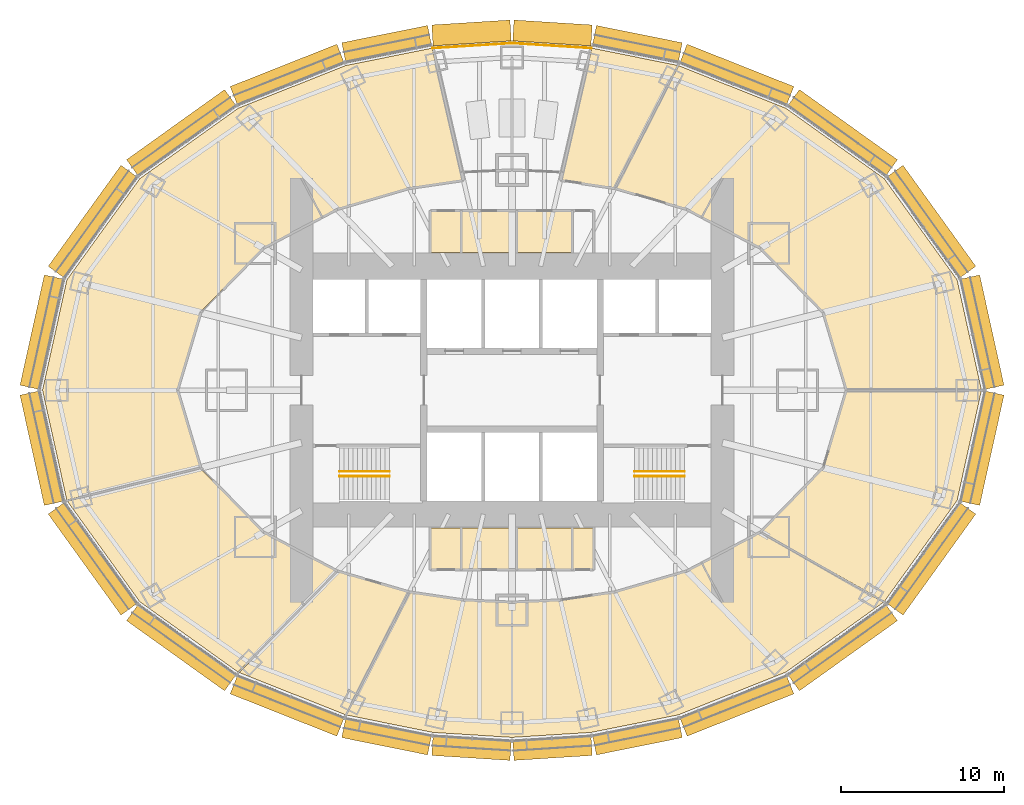
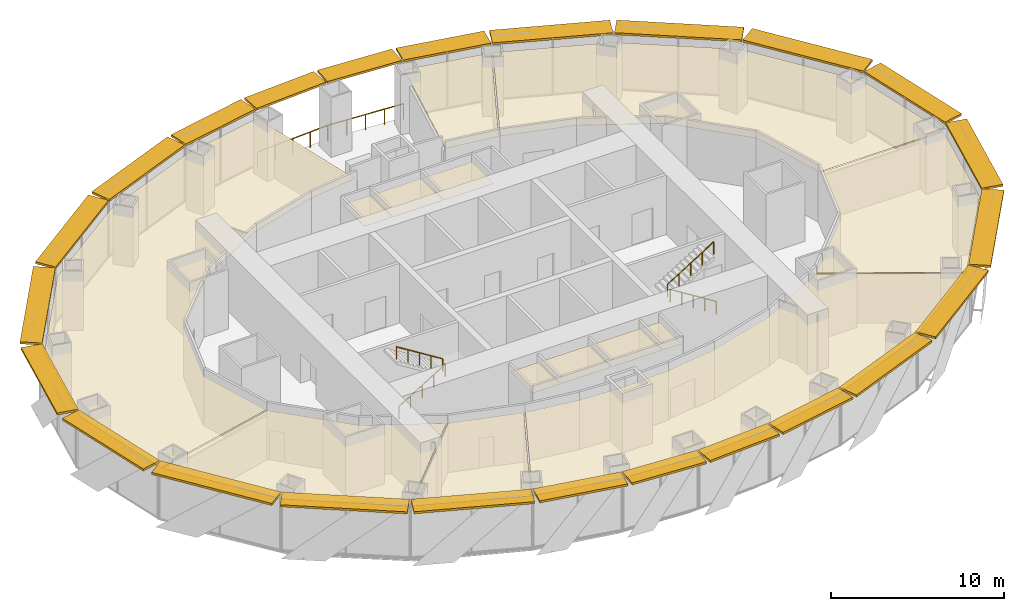
# One storey, part 17 of 17: 24 shading devices, 14 coverings, 6 railings.
"""IFC4 building model written with IfcOpenShell, lengths in metres."""

import ifcopenshell
import ifcopenshell.guid

model = None  # the IFC model being written
_history = None  # IfcOwnerHistory: only IFC2X3 demands one
_inside = {}  # id of a spatial element -> (the spatial element, [elements in it])
_under = {}  # id of a project, library or spatial element -> (it, [spatial elements below it])
_declared = {}  # id of a project -> (the project, [libraries it declares])
_typed = {}  # id of a type object -> (the type object, [elements of that type])
_made_of = {}  # id of a material, layer set ... -> (it, [elements and type objects made of it])


def new_model(schema):
    """Start an empty IFC model of exactly this schema.

    Asked for "IFC4X3", IfcOpenShell would pick the latest addendum, in which some entities
    have other attributes; the version numbers below select the first issue.
    IFC2X3 requires an IfcOwnerHistory on every rooted entity: one is made here for all.
    """
    global model, _history
    if schema == "IFC4X3":
        model = ifcopenshell.file(schema_version=(4, 3, 0, 0))
    else:
        model = ifcopenshell.file(schema=schema)
    _inside.clear()
    _under.clear()
    _declared.clear()
    _typed.clear()
    _made_of.clear()
    _history = None
    if model.schema == "IFC2X3":
        org = make("IfcOrganization", Name="unknown")
        user = make(
            "IfcPersonAndOrganization",
            ThePerson=make("IfcPerson", FamilyName="unknown"),
            TheOrganization=org,
        )
        app = make(
            "IfcApplication",
            ApplicationDeveloper=org,
            Version="unknown",
            ApplicationFullName="unknown",
            ApplicationIdentifier="unknown",
        )
        _history = make(
            "IfcOwnerHistory",
            OwningUser=user,
            OwningApplication=app,
            ChangeAction="ADDED",
            CreationDate=0,
        )
    return model


def make(cls, **values):
    """One entity of the class cls with the attributes given. An attribute that is None is left unset."""
    return model.create_entity(
        cls, **{name: value for name, value in values.items() if value is not None}
    )


def rooted(cls, **values):
    """An entity with a GlobalId (a new one), such as an element, a storey or a relation."""
    return make(cls, GlobalId=ifcopenshell.guid.new(), OwnerHistory=_history, **values)


def si_unit(unit_type, name, prefix=None):
    """IfcSIUnit, for example si_unit("LENGTHUNIT", "METRE", prefix="MILLI")."""
    return make("IfcSIUnit", UnitType=unit_type, Prefix=prefix, Name=name)


def assignment(units):
    """IfcUnitAssignment: the units of a project."""
    return None if units is None else make("IfcUnitAssignment", Units=units)


def point(xyz):
    """IfcCartesianPoint."""
    return None if xyz is None else make("IfcCartesianPoint", Coordinates=xyz)


def direction(xyz):
    """IfcDirection."""
    return None if xyz is None else make("IfcDirection", DirectionRatios=xyz)


def frame(location, z_axis=None, x_axis=None):
    """IfcAxis2Placement3D, a coordinate frame: its origin and axes. An axis left out is left unset."""
    return make(
        "IfcAxis2Placement3D",
        Location=point(location),
        Axis=direction(z_axis),
        RefDirection=direction(x_axis),
    )


def frame_2d(location, x_axis=None):
    """IfcAxis2Placement2D, a coordinate frame in the plane: its origin and x axis."""
    return make(
        "IfcAxis2Placement2D", Location=point(location), RefDirection=direction(x_axis)
    )


def origin():
    """The frame at (0, 0, 0) with its axes left unset."""
    return frame((0.0, 0.0, 0.0))


def origin_2d():
    """The frame at (0, 0) in the plane with its x axis left unset."""
    return frame_2d((0.0, 0.0))


def place(relative_to, where):
    """IfcLocalPlacement: puts the frame where relative to a parent placement (None: the world)."""
    return make(
        "IfcLocalPlacement", PlacementRelTo=relative_to, RelativePlacement=where
    )


def context(
    kind, dimensions, precision=None, world=None, true_north=None, identifier=None
):
    """IfcGeometricRepresentationContext, for example the 3D "Model" context."""
    return make(
        "IfcGeometricRepresentationContext",
        ContextIdentifier=identifier,
        ContextType=kind,
        CoordinateSpaceDimension=dimensions,
        Precision=precision,
        WorldCoordinateSystem=world,
        TrueNorth=true_north,
    )


def subcontext(parent, identifier, kind, view, scale=None):
    """IfcGeometricRepresentationSubContext, for example "Body" below "Model"."""
    return make(
        "IfcGeometricRepresentationSubContext",
        ContextIdentifier=identifier,
        ContextType=kind,
        ParentContext=parent,
        TargetScale=scale,
        TargetView=view,
    )


def project(units=None, contexts=None):
    """IfcProject with its units and contexts."""
    return rooted(
        "IfcProject",
        Name="project",
        RepresentationContexts=contexts,
        UnitsInContext=assignment(units),
    )


def spatial(cls, under=None, at=None, **own):
    """A site, building, storey or space (cls), placed at a placement, below another one or the project."""
    s = rooted(cls, ObjectPlacement=at, **own)
    if under is not None:
        _under.setdefault(under.id(), (under, []))[1].append(s)
    return s


def polyline(points):
    """IfcPolyline through the points."""
    return make("IfcPolyline", Points=[point(p) for p in points])


def profile(cls, at=None, kind="AREA", **sizes):
    """A parametric profile (cls). Its sizes go by their IFC names, for example OverallWidth=200.0."""
    return make(cls, ProfileType=kind, Position=at, **sizes)


def rectangle(**sizes):
    """IfcRectangleProfileDef."""
    return profile("IfcRectangleProfileDef", **sizes)


def circle(**sizes):
    """IfcCircleProfileDef."""
    return profile("IfcCircleProfileDef", **sizes)


def outline(outer, holes=None, kind="AREA"):
    """IfcArbitraryClosedProfileDef: a profile drawn as a closed curve; with holes, ...WithVoids."""
    if holes is None:
        return make("IfcArbitraryClosedProfileDef", ProfileType=kind, OuterCurve=outer)
    return make(
        "IfcArbitraryProfileDefWithVoids",
        ProfileType=kind,
        OuterCurve=outer,
        InnerCurves=holes,
    )


def extrude(swept, where, along, depth):
    """IfcExtrudedAreaSolid: the profile swept, set in the frame where, extruded along a direction by depth."""
    return make(
        "IfcExtrudedAreaSolid",
        SweptArea=swept,
        Position=where,
        ExtrudedDirection=direction(along),
        Depth=depth,
    )


def shape(context_of_items, identifier, shape_type, items):
    """IfcShapeRepresentation: the items that make up one representation, for example the "Body"."""
    return make(
        "IfcShapeRepresentation",
        ContextOfItems=context_of_items,
        RepresentationIdentifier=identifier,
        RepresentationType=shape_type,
        Items=items,
    )


def material(Name=None, Category=None):
    """IfcMaterial."""
    return make("IfcMaterial", Name=Name, Category=Category)


def layer(
    of_material, thickness, ventilated=None, Name=None, Category=None, Priority=None
):
    """IfcMaterialLayer: one layer of a wall or slab, of a material (None: an air gap)."""
    return make(
        "IfcMaterialLayer",
        Material=of_material,
        LayerThickness=thickness,
        IsVentilated=ventilated,
        Name=Name,
        Category=Category,
        Priority=Priority,
    )


def layer_set(layers, Name=None):
    """IfcMaterialLayerSet."""
    return make("IfcMaterialLayerSet", MaterialLayers=layers, LayerSetName=Name)


def made_of(thing, what):
    """Note that an element or type object is made of a material, layer set ...; save() writes the relation."""
    if what is not None:
        _made_of.setdefault(what.id(), (what, []))[1].append(thing)
    return thing


def type_object(cls, material=None, **own):
    """A type object (cls), such as IfcWallType, which elements share."""
    return made_of(rooted(cls, **own), material)


def element(
    cls,
    number,
    at=None,
    inside=None,
    cuts=None,
    type_object=None,
    material=None,
    context=None,
    identifier="Body",
    shape_type=None,
    held_by="IfcProductDefinitionShape",
    body=None,
    shapes=None,
    **own,
):
    """One element of the class cls, such as IfcWall. Its Tag is "e" and its number.

    at: its placement. inside: the storey or other place that contains it. cuts: it is an
    opening in that element (IfcRelVoidsElement). A single representation is given by context,
    identifier, shape_type and body (its items); several are given by shapes. held_by: the class
    of the entity that holds the representations. save() writes the other relations.
    """
    e = rooted(cls, Tag="e%d" % number, ObjectPlacement=at, **own)
    if body is not None:
        shapes = [shape(context, identifier, shape_type, body)]
    if shapes is not None:
        e.Representation = make(held_by, Representations=shapes)
    if inside is not None:
        _inside.setdefault(inside.id(), (inside, []))[1].append(e)
    if cuts is not None:
        rooted(
            "IfcRelVoidsElement", RelatingBuildingElement=cuts, RelatedOpeningElement=e
        )
    if type_object is not None:
        _typed.setdefault(type_object.id(), (type_object, []))[1].append(e)
    return made_of(e, material)


def aggregate(whole, parts):
    """IfcRelAggregates: a whole, such as a stair, and the parts it consists of."""
    return rooted("IfcRelAggregates", RelatingObject=whole, RelatedObjects=parts)


def save(model, path):
    """Write the relations noted so far, then the file.

    IfcRelAggregates (storeys below a building ...), IfcRelContainedInSpatialStructure (elements
    in a storey), IfcRelDefinesByType, IfcRelAssociatesMaterial and IfcRelDeclares: one each for
    every whole, place, type object, material and project.
    """
    for whole, parts in _under.values():
        aggregate(whole, parts)
    for where, things in _inside.values():
        rooted(
            "IfcRelContainedInSpatialStructure",
            RelatedElements=things,
            RelatingStructure=where,
        )
    for kind, things in _typed.values():
        rooted("IfcRelDefinesByType", RelatedObjects=things, RelatingType=kind)
    for what, things in _made_of.values():
        rooted("IfcRelAssociatesMaterial", RelatedObjects=things, RelatingMaterial=what)
    for by, libraries in _declared.values():
        rooted("IfcRelDeclares", RelatingContext=by, RelatedDefinitions=libraries)
    model.write(path)


model = new_model("IFC4")

# Units and contexts
model_context = context("Model", 3, precision=1e-05, world=origin(), true_north=direction((0.0, 1.0)))
body_context = subcontext(model_context, "Body", "Model", "MODEL_VIEW")
ifc_project = project(units=[si_unit("LENGTHUNIT", "METRE"), si_unit("AREAUNIT", "SQUARE_METRE"), si_unit("VOLUMEUNIT", "CUBIC_METRE"), si_unit("PLANEANGLEUNIT", "RADIAN"), si_unit("MASSUNIT", "GRAM", prefix="KILO")], contexts=[model_context])

# Site, building, storey
site_placement = place(None, origin())
site = spatial("IfcSite", under=ifc_project, at=site_placement, CompositionType="ELEMENT")
building_placement = place(site_placement, origin())
building = spatial("IfcBuilding", under=site, at=building_placement, Name="Lantaw Convention Tower", CompositionType="ELEMENT")
storey_placement = place(building_placement, frame((0.0, 0.0, 151.0)))
storey = spatial("IfcBuildingStorey", under=building, at=storey_placement, Name="L35", CompositionType="ELEMENT", Elevation=151.0)

# Railings
ifc_material_1 = material(Name="Stainless steel", Category="steel")
railing_type_1 = type_object("IfcRailingType", Name="Stair handrail", PredefinedType="HANDRAIL", material=ifc_material_1)
railing_1_placement = place(storey_placement, frame((-10.580078125, -5.280029296875, 0.175048828125)))
element("IfcRailing", 1, at=railing_1_placement, inside=storey, type_object=railing_type_1, Name="Stair handrail S1", PredefinedType="HANDRAIL", context=body_context, shape_type="SweptSolid", body=[
    extrude(circle(Radius=0.02392578125, at=origin_2d()), frame((0.0, 0.0, 0.8759765625), z_axis=(0.847998304005, 0.0, 0.529998940003), x_axis=(0.0, 1.0, 0.0)), (0.0, 0.0, 1.0), 3.632080078125),
    extrude(circle(Radius=0.02099609375, at=origin_2d()), origin(), (0.0, 0.0, 1.0), 0.851806640625),
    extrude(circle(Radius=0.02099609375, at=origin_2d()), frame((0.77001953125, 0.0, 0.481201171875)), (0.0, 0.0, 1.0), 0.851806640625),
    extrude(circle(Radius=0.02099609375, at=origin_2d()), frame((1.5400390625, 0.0, 0.96240234375)), (0.0, 0.0, 1.0), 0.851806640625),
    extrude(circle(Radius=0.02099609375, at=origin_2d()), frame((2.31005859375, 0.0, 1.44384765625)), (0.0, 0.0, 1.0), 0.851806640625),
    extrude(circle(Radius=0.02099609375, at=origin_2d()), frame((3.080078125, 0.0, 1.925048828125)), (0.0, 0.0, 1.0), 0.851806640625),
])
for number, where, name in (
    (2, (-7.5, -4.97998046875, 2.27490234375), "Stair handrail S1"),
    (3, (10.580078125, -5.280029296875, 0.175048828125), "Stair handrail S2"),
):
    element("IfcRailing", number, at=place(storey_placement, frame(where)), inside=storey, type_object=railing_type_1, Name=name, PredefinedType="HANDRAIL", context=body_context, shape_type="SweptSolid", body=[
        extrude(circle(Radius=0.02392578125, at=origin_2d()), frame((0.0, 0.0, 0.8759765625), z_axis=(-0.847998304005, 0.0, 0.529998940003), x_axis=(0.0, -1.0, 0.0)), (0.0, 0.0, 1.0), 3.632080078125),
        extrude(circle(Radius=0.02099609375, at=origin_2d()), origin(), (0.0, 0.0, 1.0), 0.851806640625),
        extrude(circle(Radius=0.02099609375, at=origin_2d()), frame((-0.77001953125, 0.0, 0.481201171875)), (0.0, 0.0, 1.0), 0.851806640625),
        extrude(circle(Radius=0.02099609375, at=origin_2d()), frame((-1.5400390625, 0.0, 0.96240234375)), (0.0, 0.0, 1.0), 0.851806640625),
        extrude(circle(Radius=0.02099609375, at=origin_2d()), frame((-2.31005859375, 0.0, 1.44384765625)), (0.0, 0.0, 1.0), 0.851806640625),
        extrude(circle(Radius=0.02099609375, at=origin_2d()), frame((-3.080078125, 0.0, 1.925048828125)), (0.0, 0.0, 1.0), 0.851806640625),
    ])
railing_2_placement = place(storey_placement, frame((7.5, -4.97998046875, 2.27490234375)))
element("IfcRailing", 4, at=railing_2_placement, inside=storey, type_object=railing_type_1, Name="Stair handrail S2", PredefinedType="HANDRAIL", context=body_context, shape_type="SweptSolid", body=[
    extrude(circle(Radius=0.02392578125, at=origin_2d()), frame((0.0, 0.0, 0.8759765625), z_axis=(0.847998304005, 0.0, 0.529998940003), x_axis=(0.0, 1.0, 0.0)), (0.0, 0.0, 1.0), 3.632080078125),
    extrude(circle(Radius=0.02099609375, at=origin_2d()), origin(), (0.0, 0.0, 1.0), 0.851806640625),
    extrude(circle(Radius=0.02099609375, at=origin_2d()), frame((0.77001953125, 0.0, 0.481201171875)), (0.0, 0.0, 1.0), 0.851806640625),
    extrude(circle(Radius=0.02099609375, at=origin_2d()), frame((1.5400390625, 0.0, 0.96240234375)), (0.0, 0.0, 1.0), 0.851806640625),
    extrude(circle(Radius=0.02099609375, at=origin_2d()), frame((2.31005859375, 0.0, 1.44384765625)), (0.0, 0.0, 1.0), 0.851806640625),
    extrude(circle(Radius=0.02099609375, at=origin_2d()), frame((3.080078125, 0.0, 1.925048828125)), (0.0, 0.0, 1.0), 0.851806640625),
])

# Coverings
ifc_material_2 = material(Name="Gypsum board on steel suspension grid", Category="steel")
ifc_layer = layer(ifc_material_2, 0.02001953125)
ifc_layer_set = layer_set([ifc_layer], Name="Suspended ceiling")
covering_type = type_object("IfcCoveringType", Name="Suspended ceiling", PredefinedType="CEILING", material=ifc_layer_set)
covering_1_placement = place(storey_placement, frame((0.0, 0.0, 3.449951171875)))
element("IfcCovering", 5, at=covering_1_placement, inside=storey, type_object=covering_type, Name="Accessible WC ceiling", PredefinedType="CEILING", context=body_context, shape_type="SweptSolid", body=[
    extrude(outline(polyline([(-4.9599609375, 8.43994140625), (-3.139892578125, 8.43994140625), (-3.139892578125, 10.967041015625), (-4.9599609375, 10.967041015625), (-4.9599609375, 8.43994140625)])), origin(), (0.0, 0.0, 1.0), 0.02001953125),
])
covering_2_placement = place(storey_placement, frame((0.0, 0.0, 3.449951171875)))
element("IfcCovering", 6, at=covering_2_placement, inside=storey, type_object=covering_type, Name="Male WC ceiling", PredefinedType="CEILING", context=body_context, shape_type="SweptSolid", body=[
    extrude(outline(polyline([(-3.06005859375, 8.43994140625), (0.260009765625, 8.43994140625), (0.260009765625, 10.967041015625), (-3.06005859375, 10.967041015625), (-3.06005859375, 8.43994140625)])), origin(), (0.0, 0.0, 1.0), 0.02001953125),
])
covering_3_placement = place(storey_placement, frame((0.0, 0.0, 3.449951171875)))
element("IfcCovering", 7, at=covering_3_placement, inside=storey, type_object=covering_type, Name="Female WC ceiling", PredefinedType="CEILING", context=body_context, shape_type="SweptSolid", body=[
    extrude(outline(polyline([(0.340087890625, 8.43994140625), (3.659912109375, 8.43994140625), (3.659912109375, 10.967041015625), (0.340087890625, 10.967041015625), (0.340087890625, 8.43994140625)])), origin(), (0.0, 0.0, 1.0), 0.02001953125),
])
covering_4_placement = place(storey_placement, frame((0.0, 0.0, 3.449951171875)))
element("IfcCovering", 8, at=covering_4_placement, inside=storey, type_object=covering_type, Name="Accessible WC ceiling", PredefinedType="CEILING", context=body_context, shape_type="SweptSolid", body=[
    extrude(outline(polyline([(-4.9599609375, -10.967041015625), (-3.139892578125, -10.967041015625), (-3.139892578125, -8.43994140625), (-4.9599609375, -8.43994140625), (-4.9599609375, -10.967041015625)])), origin(), (0.0, 0.0, 1.0), 0.02001953125),
])
covering_5_placement = place(storey_placement, frame((0.0, 0.0, 3.449951171875)))
element("IfcCovering", 9, at=covering_5_placement, inside=storey, type_object=covering_type, Name="Male WC ceiling", PredefinedType="CEILING", context=body_context, shape_type="SweptSolid", body=[
    extrude(outline(polyline([(-3.06005859375, -10.967041015625), (0.260009765625, -10.967041015625), (0.260009765625, -8.43994140625), (-3.06005859375, -8.43994140625), (-3.06005859375, -10.967041015625)])), origin(), (0.0, 0.0, 1.0), 0.02001953125),
])
covering_6_placement = place(storey_placement, frame((0.0, 0.0, 3.449951171875)))
element("IfcCovering", 10, at=covering_6_placement, inside=storey, type_object=covering_type, Name="Female WC ceiling", PredefinedType="CEILING", context=body_context, shape_type="SweptSolid", body=[
    extrude(outline(polyline([(0.340087890625, -10.967041015625), (3.659912109375, -10.967041015625), (3.659912109375, -8.43994140625), (0.340087890625, -8.43994140625), (0.340087890625, -10.967041015625)])), origin(), (0.0, 0.0, 1.0), 0.02001953125),
])
covering_7_placement = place(storey_placement, frame((0.0, 0.0, 3.449951171875)))
element("IfcCovering", 11, at=covering_7_placement, inside=storey, type_object=covering_type, Name="Pantry ceiling", PredefinedType="CEILING", context=body_context, shape_type="SweptSolid", body=[
    extrude(outline(polyline([(3.739990234375, -10.967041015625), (4.9599609375, -10.967041015625), (4.9599609375, -8.43994140625), (3.739990234375, -8.43994140625), (3.739990234375, -10.967041015625)])), origin(), (0.0, 0.0, 1.0), 0.02001953125),
])
covering_8_placement = place(storey_placement, frame((0.0, 0.0, 3.449951171875)))
element("IfcCovering", 12, at=covering_8_placement, inside=storey, type_object=covering_type, Name="Co-working studio ceiling", PredefinedType="CEILING", context=body_context, shape_type="SweptSolid", body=[
    extrude(outline(polyline([(-3.0185546875, 12.89599609375), (-4.899658203125, 20.970947265625), (-10.1865234375, 19.90576171875), (-16.778076171875, 17.29150390625), (-22.815185546875, 12.970947265625), (-27.286865234375, 6.763671875), (-28.77978515625, 0.0), (-27.2939453125, -6.731689453125), (-19.128662109375, -4.72802734375), (-20.541748046875, 0.0), (-19.11376953125, 4.777587890625), (-15.25341796875, 8.73486328125), (-10.720947265625, 11.12353515625), (-6.3115234375, 12.409423828125), (-3.0185546875, 12.89599609375)])), origin(), (0.0, 0.0, 1.0), 0.02001953125),
])
covering_9_placement = place(storey_placement, frame((0.0, 0.0, 3.449951171875)))
element("IfcCovering", 13, at=covering_9_placement, inside=storey, type_object=covering_type, Name="Focus room ceiling", PredefinedType="CEILING", context=body_context, shape_type="SweptSolid", body=[
    extrude(outline(polyline([(-19.091064453125, -4.801025390625), (-27.257080078125, -6.80517578125), (-22.815185546875, -12.970947265625), (-16.802001953125, -17.274169921875), (-10.77197265625, -11.0966796875), (-15.25341796875, -8.73486328125), (-19.091064453125, -4.801025390625)])), origin(), (0.0, 0.0, 1.0), 0.02001953125),
])
covering_10_placement = place(storey_placement, frame((0.0, 0.0, 3.449951171875)))
element("IfcCovering", 14, at=covering_10_placement, inside=storey, type_object=covering_type, Name="Pantry ceiling", PredefinedType="CEILING", context=body_context, shape_type="SweptSolid", body=[
    extrude(outline(polyline([(-10.694091796875, -11.131591796875), (-16.726806640625, -17.311767578125), (-10.217041015625, -19.893798828125), (-6.36083984375, -12.39501953125), (-10.694091796875, -11.131591796875)])), origin(), (0.0, 0.0, 1.0), 0.02001953125),
])
covering_11_placement = place(storey_placement, frame((0.0, 0.0, 3.449951171875)))
element("IfcCovering", 15, at=covering_11_placement, inside=storey, type_object=covering_type, Name="Co-working studio ceiling", PredefinedType="CEILING", context=body_context, shape_type="SweptSolid", body=[
    extrude(outline(polyline([(-6.280517578125, -12.4140625), (-10.13818359375, -19.91552734375), (-4.864501953125, -20.978271484375), (0.0, -21.28466796875), (4.864501953125, -20.978271484375), (10.1865234375, -19.90576171875), (16.778076171875, -17.29150390625), (22.76953125, -13.003662109375), (15.228515625, -8.748046875), (10.720947265625, -11.12353515625), (6.3115234375, -12.409423828125), (2.973388671875, -12.90283203125), (0.0, -13.0400390625), (-2.973388671875, -12.90283203125), (-6.280517578125, -12.4140625)])), origin(), (0.0, 0.0, 1.0), 0.02001953125),
])
covering_12_placement = place(storey_placement, frame((0.0, 0.0, 3.449951171875)))
element("IfcCovering", 16, at=covering_12_placement, inside=storey, type_object=covering_type, Name="Meeting room ceiling", PredefinedType="CEILING", context=body_context, shape_type="SweptSolid", body=[
    extrude(outline(polyline([(15.294189453125, -8.693115234375), (22.832275390625, -12.947265625), (27.286865234375, -6.763671875), (28.77099609375, -0.0400390625), (20.52978515625, -0.0400390625), (19.11376953125, -4.777587890625), (15.294189453125, -8.693115234375)])), origin(), (0.0, 0.0, 1.0), 0.02001953125),
])
covering_13_placement = place(storey_placement, frame((0.0, 0.0, 3.449951171875)))
element("IfcCovering", 17, at=covering_13_placement, inside=storey, type_object=covering_type, Name="Co-working hot-desk area ceiling", PredefinedType="CEILING", context=body_context, shape_type="SweptSolid", body=[
    extrude(outline(polyline([(20.52978515625, 0.0400390625), (28.77099609375, 0.0400390625), (27.286865234375, 6.763671875), (22.815185546875, 12.970947265625), (16.778076171875, 17.29150390625), (10.217041015625, 19.893798828125), (6.36083984375, 12.39501953125), (10.720947265625, 11.12353515625), (15.25341796875, 8.73486328125), (19.11376953125, 4.777587890625), (20.52978515625, 0.0400390625)])), origin(), (0.0, 0.0, 1.0), 0.02001953125),
])
covering_14_placement = place(storey_placement, frame((0.0, 0.0, 3.449951171875)))
element("IfcCovering", 18, at=covering_14_placement, inside=storey, type_object=covering_type, Name="Phone booth room ceiling", PredefinedType="CEILING", context=body_context, shape_type="SweptSolid", body=[
    extrude(outline(polyline([(6.280517578125, 12.4140625), (10.13818359375, 19.91552734375), (4.899658203125, 20.970947265625), (3.0185546875, 12.89599609375), (6.280517578125, 12.4140625)])), origin(), (0.0, 0.0, 1.0), 0.02001953125),
])

# Railings
ifc_material_3 = material(Name="Stainless steel posts and laminated glass, pale silver finish", Category="steel")
railing_type_2 = type_object("IfcRailingType", Name="Terrace guard railing 1100", PredefinedType="GUARDRAIL", material=ifc_material_3)
railing_3_placement = place(storey_placement, frame((4.863037109375, 20.96826171875, 0.0)))
element("IfcRailing", 19, at=railing_3_placement, inside=storey, type_object=railing_type_2, Name="Sky garden guard", PredefinedType="GUARDRAIL", context=body_context, shape_type="SweptSolid", body=[
    extrude(circle(Radius=0.02392578125, at=origin_2d()), frame((0.0, 0.0, 1.076171875), z_axis=(-0.998021064037, 0.062880487744, 0.0), x_axis=(-0.062880487744, -0.998021064037, 0.0)), (0.0, 0.0, 1.0), 4.87255859375),
    extrude(circle(Radius=0.02099609375, at=origin_2d()), origin(), (0.0, 0.0, 1.0), 1.052001953125),
    extrude(circle(Radius=0.02099609375, at=origin_2d()), frame((-1.2158203125, 0.07666015625, 0.0)), (0.0, 0.0, 1.0), 1.052001953125),
    extrude(circle(Radius=0.02099609375, at=origin_2d()), frame((-2.431640625, 0.1533203125, 0.0)), (0.0, 0.0, 1.0), 1.052001953125),
    extrude(circle(Radius=0.02099609375, at=origin_2d()), frame((-3.647216796875, 0.229736328125, 0.0)), (0.0, 0.0, 1.0), 1.052001953125),
    extrude(circle(Radius=0.02099609375, at=origin_2d()), frame((-4.863037109375, 0.306396484375, 0.0)), (0.0, 0.0, 1.0), 1.052001953125),
])
railing_4_placement = place(storey_placement, frame((0.0, 21.274658203125, 0.0)))
element("IfcRailing", 20, at=railing_4_placement, inside=storey, type_object=railing_type_2, Name="Sky garden guard", PredefinedType="GUARDRAIL", context=body_context, shape_type="SweptSolid", body=[
    extrude(circle(Radius=0.02392578125, at=origin_2d()), frame((0.0, 0.0, 1.076171875), z_axis=(-0.998021064037, -0.062880487744, 0.0), x_axis=(0.062880487744, -0.998021064037, 0.0)), (0.0, 0.0, 1.0), 4.87255859375),
    extrude(circle(Radius=0.02099609375, at=origin_2d()), origin(), (0.0, 0.0, 1.0), 1.052001953125),
    extrude(circle(Radius=0.02099609375, at=origin_2d()), frame((-1.2158203125, -0.07666015625, 0.0)), (0.0, 0.0, 1.0), 1.052001953125),
    extrude(circle(Radius=0.02099609375, at=origin_2d()), frame((-2.431640625, -0.1533203125, 0.0)), (0.0, 0.0, 1.0), 1.052001953125),
    extrude(circle(Radius=0.02099609375, at=origin_2d()), frame((-3.647216796875, -0.229736328125, 0.0)), (0.0, 0.0, 1.0), 1.052001953125),
    extrude(circle(Radius=0.02099609375, at=origin_2d()), frame((-4.863037109375, -0.306396484375, 0.0)), (0.0, 0.0, 1.0), 1.052001953125),
])

# Shading devices
shading_device_1_placement = place(storey_placement, frame((28.7880859375, 3.546875, 3.905029296875), z_axis=(0.0, 0.0, 1.0), x_axis=(-0.215546166174, 0.9764936509, 0.0)))
element("IfcShadingDevice", 21, at=shading_device_1_placement, inside=storey, Name="SUNSHADE blade", ObjectType="SUNSHADE", PredefinedType="USERDEFINED", context=body_context, shape_type="SweptSolid", body=[
    extrude(rectangle(XDim=6.918212890625, YDim=1.284912109375, at=origin_2d()), origin(), (0.0, 0.0, 1.0), 0.14990234375),
])
shading_device_2_placement = place(storey_placement, frame((25.680419921875, 10.315185546875, 3.905029296875), z_axis=(0.0, 0.0, 1.0), x_axis=(-0.584512597221, 0.811384633629, 0.0)))
element("IfcShadingDevice", 22, at=shading_device_2_placement, inside=storey, Name="SUNSHADE blade", ObjectType="SUNSHADE", PredefinedType="USERDEFINED", context=body_context, shape_type="SweptSolid", body=[
    extrude(rectangle(XDim=7.6298828125, YDim=1.284912109375, at=origin_2d()), origin(), (0.0, 0.0, 1.0), 0.14990234375),
])
shading_device_3_placement = place(storey_placement, frame((20.249755859375, 15.7568359375, 3.905029296875), z_axis=(0.0, 0.0, 1.0), x_axis=(-0.813208325995, 0.581972695693, 0.0)))
element("IfcShadingDevice", 23, at=shading_device_3_placement, inside=storey, Name="SUNSHADE blade", ObjectType="SUNSHADE", PredefinedType="USERDEFINED", context=body_context, shape_type="SweptSolid", body=[
    extrude(rectangle(XDim=7.385498046875, YDim=1.284912109375, at=origin_2d()), origin(), (0.0, 0.0, 1.0), 0.14990234375),
])
shading_device_4_placement = place(storey_placement, frame((13.7705078125, 19.3154296875, 3.905029296875), z_axis=(0.0, 0.0, 1.0), x_axis=(-0.929547687544, 0.368701907483, 0.0)))
element("IfcShadingDevice", 24, at=shading_device_4_placement, inside=storey, Name="SUNSHADE blade", ObjectType="SUNSHADE", PredefinedType="USERDEFINED", context=body_context, shape_type="SweptSolid", body=[
    extrude(rectangle(XDim=7.03662109375, YDim=1.284912109375, at=origin_2d()), origin(), (0.0, 0.0, 1.0), 0.14990234375),
])
shading_device_5_placement = place(storey_placement, frame((7.680419921875, 21.19873046875, 3.905029296875), z_axis=(0.0, 0.0, 1.0), x_axis=(-0.980301514912, 0.197506809659, 0.0)))
element("IfcShadingDevice", 25, at=shading_device_5_placement, inside=storey, Name="SUNSHADE blade", ObjectType="SUNSHADE", PredefinedType="USERDEFINED", context=body_context, shape_type="SweptSolid", body=[
    extrude(rectangle(XDim=5.363037109375, YDim=1.284912109375, at=origin_2d()), origin(), (0.0, 0.0, 1.0), 0.14990234375),
])
for number, where, z_axis, x_axis, name in (
    (26, (2.481201171875, 21.90234375, 3.905029296875), (0.0, 0.0, 1.0), (-0.998022035978, 0.062865059466, 0.0), "SUNSHADE blade"),
    (27, (-2.481201171875, 21.90234375, 3.905029296875), (0.0, 0.0, 1.0), (-0.998022035978, -0.062865059466, 0.0), "SUNSHADE blade"),
):
    element("IfcShadingDevice", number, at=place(storey_placement, frame(where, z_axis=z_axis, x_axis=x_axis)), inside=storey, Name=name, ObjectType="SUNSHADE", PredefinedType="USERDEFINED", context=body_context, shape_type="SweptSolid", body=[
        extrude(rectangle(XDim=4.80224609375, YDim=1.284912109375, at=origin_2d()), origin(), (0.0, 0.0, 1.0), 0.14990234375),
    ])
shading_device_6_placement = place(storey_placement, frame((-7.680419921875, 21.19873046875, 3.905029296875), z_axis=(0.0, 0.0, 1.0), x_axis=(-0.980301514912, -0.197506809659, 0.0)))
element("IfcShadingDevice", 28, at=shading_device_6_placement, inside=storey, Name="SUNSHADE blade", ObjectType="SUNSHADE", PredefinedType="USERDEFINED", context=body_context, shape_type="SweptSolid", body=[
    extrude(rectangle(XDim=5.363037109375, YDim=1.284912109375, at=origin_2d()), origin(), (0.0, 0.0, 1.0), 0.14990234375),
])
shading_device_7_placement = place(storey_placement, frame((-13.7705078125, 19.3154296875, 3.905029296875), z_axis=(0.0, 0.0, 1.0), x_axis=(-0.929547687544, -0.368701907483, 0.0)))
element("IfcShadingDevice", 29, at=shading_device_7_placement, inside=storey, Name="SUNSHADE blade", ObjectType="SUNSHADE", PredefinedType="USERDEFINED", context=body_context, shape_type="SweptSolid", body=[
    extrude(rectangle(XDim=7.03662109375, YDim=1.284912109375, at=origin_2d()), origin(), (0.0, 0.0, 1.0), 0.14990234375),
])
shading_device_8_placement = place(storey_placement, frame((-20.249755859375, 15.7568359375, 3.905029296875), z_axis=(0.0, 0.0, 1.0), x_axis=(-0.813208325995, -0.581972695693, 0.0)))
element("IfcShadingDevice", 30, at=shading_device_8_placement, inside=storey, Name="SUNSHADE blade", ObjectType="SUNSHADE", PredefinedType="USERDEFINED", context=body_context, shape_type="SweptSolid", body=[
    extrude(rectangle(XDim=7.385498046875, YDim=1.284912109375, at=origin_2d()), origin(), (0.0, 0.0, 1.0), 0.14990234375),
])
shading_device_9_placement = place(storey_placement, frame((-25.680419921875, 10.315185546875, 3.905029296875), z_axis=(0.0, 0.0, 1.0), x_axis=(-0.584512597221, -0.811384633629, 0.0)))
element("IfcShadingDevice", 31, at=shading_device_9_placement, inside=storey, Name="SUNSHADE blade", ObjectType="SUNSHADE", PredefinedType="USERDEFINED", context=body_context, shape_type="SweptSolid", body=[
    extrude(rectangle(XDim=7.6298828125, YDim=1.284912109375, at=origin_2d()), origin(), (0.0, 0.0, 1.0), 0.14990234375),
])
for number, where, z_axis, x_axis, name in (
    (32, (-28.7880859375, 3.546875, 3.905029296875), (0.0, 0.0, 1.0), (-0.215546166174, -0.9764936509, 0.0), "SUNSHADE blade"),
    (33, (-28.7880859375, -3.546875, 3.905029296875), (0.0, 0.0, 1.0), (0.215546166174, -0.9764936509, 0.0), "SUNSHADE blade"),
):
    element("IfcShadingDevice", number, at=place(storey_placement, frame(where, z_axis=z_axis, x_axis=x_axis)), inside=storey, Name=name, ObjectType="SUNSHADE", PredefinedType="USERDEFINED", context=body_context, shape_type="SweptSolid", body=[
        extrude(rectangle(XDim=6.918212890625, YDim=1.284912109375, at=origin_2d()), origin(), (0.0, 0.0, 1.0), 0.14990234375),
    ])
shading_device_10_placement = place(storey_placement, frame((-25.680419921875, -10.315185546875, 3.905029296875), z_axis=(0.0, 0.0, 1.0), x_axis=(0.584512597221, -0.811384633629, 0.0)))
element("IfcShadingDevice", 34, at=shading_device_10_placement, inside=storey, Name="SUNSHADE blade", ObjectType="SUNSHADE", PredefinedType="USERDEFINED", context=body_context, shape_type="SweptSolid", body=[
    extrude(rectangle(XDim=7.6298828125, YDim=1.284912109375, at=origin_2d()), origin(), (0.0, 0.0, 1.0), 0.14990234375),
])
shading_device_11_placement = place(storey_placement, frame((-20.249755859375, -15.7568359375, 3.905029296875), z_axis=(0.0, 0.0, 1.0), x_axis=(0.813208325995, -0.581972695693, 0.0)))
element("IfcShadingDevice", 35, at=shading_device_11_placement, inside=storey, Name="SUNSHADE blade", ObjectType="SUNSHADE", PredefinedType="USERDEFINED", context=body_context, shape_type="SweptSolid", body=[
    extrude(rectangle(XDim=7.385498046875, YDim=1.284912109375, at=origin_2d()), origin(), (0.0, 0.0, 1.0), 0.14990234375),
])
shading_device_12_placement = place(storey_placement, frame((-13.7705078125, -19.3154296875, 3.905029296875), z_axis=(0.0, 0.0, 1.0), x_axis=(0.929547687544, -0.368701907483, 0.0)))
element("IfcShadingDevice", 36, at=shading_device_12_placement, inside=storey, Name="SUNSHADE blade", ObjectType="SUNSHADE", PredefinedType="USERDEFINED", context=body_context, shape_type="SweptSolid", body=[
    extrude(rectangle(XDim=7.03662109375, YDim=1.284912109375, at=origin_2d()), origin(), (0.0, 0.0, 1.0), 0.14990234375),
])
shading_device_13_placement = place(storey_placement, frame((-7.680419921875, -21.19873046875, 3.905029296875), z_axis=(0.0, 0.0, 1.0), x_axis=(0.980301514912, -0.197506809659, 0.0)))
element("IfcShadingDevice", 37, at=shading_device_13_placement, inside=storey, Name="SUNSHADE blade", ObjectType="SUNSHADE", PredefinedType="USERDEFINED", context=body_context, shape_type="SweptSolid", body=[
    extrude(rectangle(XDim=5.363037109375, YDim=1.284912109375, at=origin_2d()), origin(), (0.0, 0.0, 1.0), 0.14990234375),
])
for number, where, z_axis, x_axis, name in (
    (38, (-2.481201171875, -21.90234375, 3.905029296875), (0.0, 0.0, 1.0), (0.998022035978, -0.062865059466, 0.0), "SUNSHADE blade"),
    (39, (2.481201171875, -21.90234375, 3.905029296875), (0.0, 0.0, 1.0), (0.998022035978, 0.062865059466, 0.0), "SUNSHADE blade"),
):
    element("IfcShadingDevice", number, at=place(storey_placement, frame(where, z_axis=z_axis, x_axis=x_axis)), inside=storey, Name=name, ObjectType="SUNSHADE", PredefinedType="USERDEFINED", context=body_context, shape_type="SweptSolid", body=[
        extrude(rectangle(XDim=4.80224609375, YDim=1.284912109375, at=origin_2d()), origin(), (0.0, 0.0, 1.0), 0.14990234375),
    ])
shading_device_14_placement = place(storey_placement, frame((7.680419921875, -21.19873046875, 3.905029296875), z_axis=(0.0, 0.0, 1.0), x_axis=(0.980301514912, 0.197506809659, 0.0)))
element("IfcShadingDevice", 40, at=shading_device_14_placement, inside=storey, Name="SUNSHADE blade", ObjectType="SUNSHADE", PredefinedType="USERDEFINED", context=body_context, shape_type="SweptSolid", body=[
    extrude(rectangle(XDim=5.363037109375, YDim=1.284912109375, at=origin_2d()), origin(), (0.0, 0.0, 1.0), 0.14990234375),
])
shading_device_15_placement = place(storey_placement, frame((13.7705078125, -19.3154296875, 3.905029296875), z_axis=(0.0, 0.0, 1.0), x_axis=(0.929547687544, 0.368701907483, 0.0)))
element("IfcShadingDevice", 41, at=shading_device_15_placement, inside=storey, Name="SUNSHADE blade", ObjectType="SUNSHADE", PredefinedType="USERDEFINED", context=body_context, shape_type="SweptSolid", body=[
    extrude(rectangle(XDim=7.03662109375, YDim=1.284912109375, at=origin_2d()), origin(), (0.0, 0.0, 1.0), 0.14990234375),
])
shading_device_16_placement = place(storey_placement, frame((20.249755859375, -15.7568359375, 3.905029296875), z_axis=(0.0, 0.0, 1.0), x_axis=(0.813208325995, 0.581972695693, 0.0)))
element("IfcShadingDevice", 42, at=shading_device_16_placement, inside=storey, Name="SUNSHADE blade", ObjectType="SUNSHADE", PredefinedType="USERDEFINED", context=body_context, shape_type="SweptSolid", body=[
    extrude(rectangle(XDim=7.385498046875, YDim=1.284912109375, at=origin_2d()), origin(), (0.0, 0.0, 1.0), 0.14990234375),
])
shading_device_17_placement = place(storey_placement, frame((25.680419921875, -10.315185546875, 3.905029296875), z_axis=(0.0, 0.0, 1.0), x_axis=(0.584512597221, 0.811384633629, 0.0)))
element("IfcShadingDevice", 43, at=shading_device_17_placement, inside=storey, Name="SUNSHADE blade", ObjectType="SUNSHADE", PredefinedType="USERDEFINED", context=body_context, shape_type="SweptSolid", body=[
    extrude(rectangle(XDim=7.6298828125, YDim=1.284912109375, at=origin_2d()), origin(), (0.0, 0.0, 1.0), 0.14990234375),
])
shading_device_18_placement = place(storey_placement, frame((28.7880859375, -3.546875, 3.905029296875), z_axis=(0.0, 0.0, 1.0), x_axis=(0.215546166174, 0.9764936509, 0.0)))
element("IfcShadingDevice", 44, at=shading_device_18_placement, inside=storey, Name="SUNSHADE blade", ObjectType="SUNSHADE", PredefinedType="USERDEFINED", context=body_context, shape_type="SweptSolid", body=[
    extrude(rectangle(XDim=6.918212890625, YDim=1.284912109375, at=origin_2d()), origin(), (0.0, 0.0, 1.0), 0.14990234375),
])

save(model, "model.ifc")
